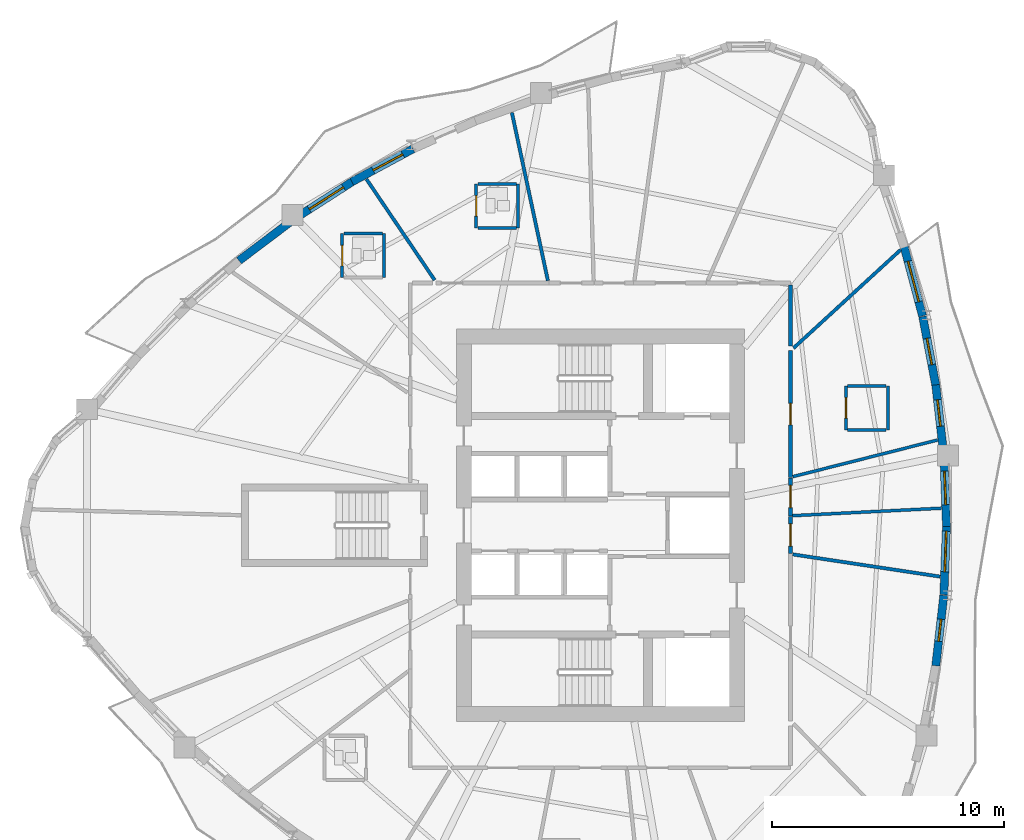
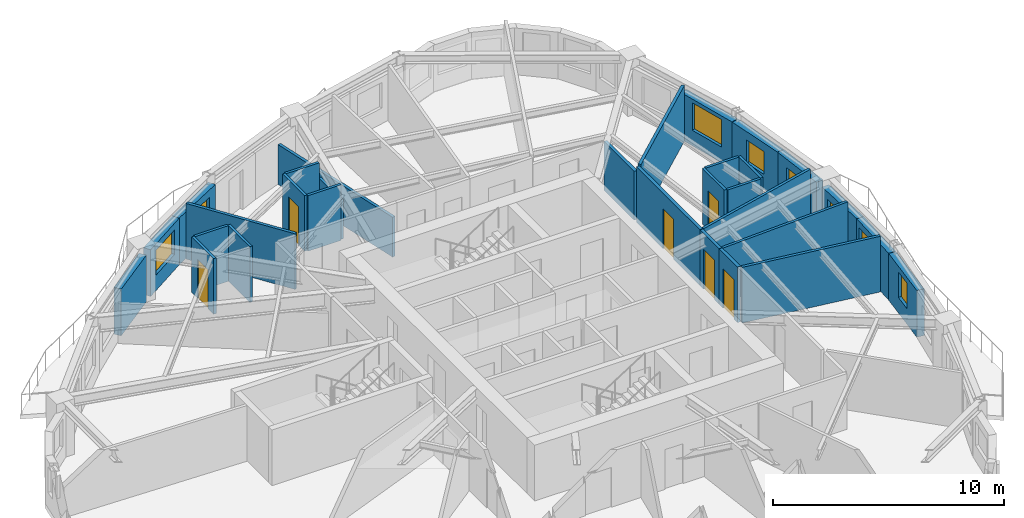
# One storey, part 7 of 12: 30 walls, 8 windows, 6 doors, 14 openings.
"""IFC4 building model written with IfcOpenShell, lengths in metres."""

from ifc_helpers import new_model, si_unit, direction, frame, frame_2d, origin, place, context, subcontext, project, spatial, rectangle, extrude, source, transform, mapped, material, layer, layer_set, type_object, element, fill, save


model = new_model("IFC4")

# Units and contexts
model_context = context("Model", 3, precision=1e-05, world=origin(), true_north=direction((0.0, 1.0)))
body_context = subcontext(model_context, "Body", "Model", "MODEL_VIEW")
ifc_project = project(units=[si_unit("LENGTHUNIT", "METRE"), si_unit("AREAUNIT", "SQUARE_METRE"), si_unit("VOLUMEUNIT", "CUBIC_METRE"), si_unit("PLANEANGLEUNIT", "RADIAN"), si_unit("MASSUNIT", "GRAM", prefix="KILO")], contexts=[model_context])

# Site, building, storey
site_placement = place(None, origin())
site = spatial("IfcSite", under=ifc_project, at=site_placement, CompositionType="ELEMENT")
building_placement = place(site_placement, origin())
building = spatial("IfcBuilding", under=site, at=building_placement, Name="Qafzar Sky-Pleat Residences", CompositionType="ELEMENT")
storey_placement = place(building_placement, frame((0.0, 0.0, 76.800048828125)))
storey = spatial("IfcBuildingStorey", under=building, at=storey_placement, Name="L22", CompositionType="ELEMENT", Elevation=76.800048828125)

# Wall, opening, door
ifc_material_1 = material(Name="Acoustic gypsum plasterboard partition", Category="gypsum")
ifc_layer_1 = layer(ifc_material_1, 0.159912109375)
ifc_layer_set_1 = layer_set([ifc_layer_1], Name="Acoustic gypsum plasterboard partition")
wall_type_1 = type_object("IfcWallType", Name="PART-COR-160", PredefinedType="PARTITIONING", material=ifc_layer_set_1)
wall_1_placement = place(storey_placement, frame((38.530029296875, 33.52587890625, 0.0), z_axis=(0.0, 0.0, 1.0), x_axis=(0.0, -1.0, 0.0)))
wall_1 = element("IfcWall", 1, at=wall_1_placement, inside=storey, type_object=wall_type_1, Name="L22 Partition Wall PART-L22-PW-002", PredefinedType="PARTITIONING", context=body_context, shape_type="SweptSolid", body=[
    extrude(rectangle(XDim=5.471923828125, YDim=0.159912109375, at=frame_2d((2.73583984375, 0.0))), origin(), (0.0, 0.0, 1.0), 2.93505859375),
])
opening_1_placement = place(wall_1_placement, frame((2.278076171875, 0.0, 0.0)))
opening_1 = element("IfcOpeningElement", 2, at=opening_1_placement, cuts=wall_1, Name="Opening ID-04", PredefinedType="OPENING", context=body_context, shape_type="SweptSolid", body=[
    extrude(rectangle(XDim=0.919921875, YDim=2.10009765625, at=frame_2d((0.4599609375, 1.050048828125))), frame((0.0, 0.08984375, 0.0), z_axis=(0.0, -1.0, 0.0), x_axis=(1.0, 0.0, 0.0)), (0.0, 0.0, 1.0), 0.179931640625),
])
ifc_material_2 = material(Name="Timber-faced fire door", Category="wood")
door_type_1 = type_object("IfcDoorType", Name="DR-BED-920", OperationType="NOTDEFINED", PredefinedType="DOOR", material=ifc_material_2)
shared_shape_1 = source(origin(), body_context, "Body", "SweptSolid", [
    extrude(rectangle(XDim=0.919921875, YDim=2.10009765625, at=frame_2d((0.4599609375, 1.050048828125))), frame((0.0, 0.02490234375, 0.0), z_axis=(0.0, -1.0, 0.0), x_axis=(1.0, 0.0, 0.0)), (0.0, 0.0, 1.0), 0.050048828125),
])
door_1_placement = place(opening_1_placement, origin())
door_1 = element("IfcDoor", 3, at=door_1_placement, inside=storey, type_object=door_type_1, Name="L22 Co-Living Bedroom 8 Door", OperationType="SINGLE_SWING_LEFT", OverallHeight=2.10009765625, OverallWidth=0.919921875, PredefinedType="DOOR", context=body_context, shape_type="MappedRepresentation", body=[
    mapped(shared_shape_1, transform((0.0, 0.0, 0.0), x_axis=(1.0, 0.0, 0.0), y_axis=(0.0, 1.0, 0.0), z_axis=(0.0, 0.0, 1.0), scale=1.0)),
])
fill(opening_1, door_1)

wall_2_placement = place(storey_placement, frame((38.530029296875, 28.0390625, 0.0), z_axis=(0.0, 0.0, 1.0), x_axis=(0.0, -1.0, 0.0)))
wall_2 = element("IfcWall", 4, at=wall_2_placement, inside=storey, type_object=wall_type_1, Name="L22 Partition Wall PART-L22-PW-022", PredefinedType="PARTITIONING", context=body_context, shape_type="SweptSolid", body=[
    extrude(rectangle(XDim=1.64306640625, YDim=0.159912109375, at=frame_2d((0.821533203125, 0.0))), origin(), (0.0, 0.0, 1.0), 2.93505859375),
])
opening_2_placement = place(wall_2_placement, frame((0.323486328125, 0.0, 0.0)))
opening_2 = element("IfcOpeningElement", 5, at=opening_2_placement, cuts=wall_2, Name="Opening ID-08", PredefinedType="OPENING", context=body_context, shape_type="SweptSolid", body=[
    extrude(rectangle(XDim=0.949951171875, YDim=2.10009765625, at=frame_2d((0.47509765625, 1.050048828125))), frame((0.0, 0.08984375, 0.0), z_axis=(0.0, -1.0, 0.0), x_axis=(1.0, 0.0, 0.0)), (0.0, 0.0, 1.0), 0.179931640625),
])
door_type_2 = type_object("IfcDoorType", Name="DR-AWC-950", OperationType="NOTDEFINED", PredefinedType="DOOR", material=ifc_material_2)
shared_shape_2 = source(origin(), body_context, "Body", "SweptSolid", [
    extrude(rectangle(XDim=0.949951171875, YDim=2.10009765625, at=frame_2d((0.47509765625, 1.050048828125))), frame((0.0, 0.02490234375, 0.0), z_axis=(0.0, -1.0, 0.0), x_axis=(1.0, 0.0, 0.0)), (0.0, 0.0, 1.0), 0.050048828125),
])
door_2_placement = place(opening_2_placement, origin())
door_2 = element("IfcDoor", 6, at=door_2_placement, inside=storey, type_object=door_type_2, Name="L22 Accessible Shared Washroom Door", OperationType="SINGLE_SWING_RIGHT", OverallHeight=2.10009765625, OverallWidth=0.949951171875, PredefinedType="DOOR", context=body_context, shape_type="MappedRepresentation", body=[
    mapped(shared_shape_2, transform((0.0, 0.0, 0.0), x_axis=(1.0, 0.0, 0.0), y_axis=(0.0, 1.0, 0.0), z_axis=(0.0, 0.0, 1.0), scale=1.0)),
])
fill(opening_2, door_2)

wall_3_placement = place(storey_placement, frame((38.530029296875, 26.381103515625, 0.0), z_axis=(0.0, 0.0, 1.0), x_axis=(0.0, -1.0, 0.0)))
wall_3 = element("IfcWall", 7, at=wall_3_placement, inside=storey, type_object=wall_type_1, Name="L22 Partition Wall PART-L22-PW-023", PredefinedType="PARTITIONING", context=body_context, shape_type="SweptSolid", body=[
    extrude(rectangle(XDim=1.585205078125, YDim=0.159912109375, at=frame_2d((0.79248046875, 0.0))), origin(), (0.0, 0.0, 1.0), 2.93505859375),
])
opening_3_placement = place(wall_3_placement, frame((0.31298828125, 0.0, 0.0)))
opening_3 = element("IfcOpeningElement", 8, at=opening_3_placement, cuts=wall_3, Name="Opening ID-06", PredefinedType="OPENING", context=body_context, shape_type="SweptSolid", body=[
    extrude(rectangle(XDim=0.9599609375, YDim=2.10009765625, at=frame_2d((0.47998046875, 1.050048828125))), frame((0.0, 0.08984375, 0.0), z_axis=(0.0, -1.0, 0.0), x_axis=(1.0, 0.0, 0.0)), (0.0, 0.0, 1.0), 0.179931640625),
])
door_type_3 = type_object("IfcDoorType", Name="DR-STD-960", OperationType="NOTDEFINED", PredefinedType="DOOR", material=ifc_material_2)
shared_shape_3 = source(origin(), body_context, "Body", "SweptSolid", [
    extrude(rectangle(XDim=0.9599609375, YDim=2.10009765625, at=frame_2d((0.47998046875, 1.050048828125))), frame((0.0, 0.02490234375, 0.0), z_axis=(0.0, -1.0, 0.0), x_axis=(1.0, 0.0, 0.0)), (0.0, 0.0, 1.0), 0.050048828125),
])
door_3_placement = place(opening_3_placement, origin())
door_3 = element("IfcDoor", 9, at=door_3_placement, inside=storey, type_object=door_type_3, Name="L22 Scholar Study Room Door", OperationType="SINGLE_SWING_LEFT", OverallHeight=2.10009765625, OverallWidth=0.9599609375, PredefinedType="DOOR", context=body_context, shape_type="MappedRepresentation", body=[
    mapped(shared_shape_3, transform((0.0, 0.0, 0.0), x_axis=(1.0, 0.0, 0.0), y_axis=(0.0, 1.0, 0.0), z_axis=(0.0, 0.0, 1.0), scale=1.0)),
])
fill(opening_3, door_3)

# Walls
wall_4_placement = place(storey_placement, frame((38.530029296875, 33.720703125, 0.0), z_axis=(0.0, 0.0, 1.0), x_axis=(0.0, 1.0, 0.0)))
element("IfcWall", 10, at=wall_4_placement, inside=storey, type_object=wall_type_1, Name="L22 Partition Wall PART-L22-PW-044", PredefinedType="PARTITIONING", context=body_context, shape_type="SweptSolid", body=[
    extrude(rectangle(XDim=2.621337890625, YDim=0.159912109375, at=frame_2d((1.310546875, 0.0))), origin(), (0.0, 0.0, 1.0), 2.572998046875),
])
ifc_layer_2 = layer(ifc_material_1, 0.14501953125)
ifc_layer_set_2 = layer_set([ifc_layer_2], Name="Acoustic gypsum plasterboard partition")
wall_type_2 = type_object("IfcWallType", Name="PART-UNIT-145", PredefinedType="PARTITIONING", material=ifc_layer_set_2)
wall_5_placement = place(storey_placement, frame((26.541015625, 43.765625, 0.0), z_axis=(0.0, 0.0, 1.0), x_axis=(0.209522326513, -0.9778038631, 0.0)))
element("IfcWall", 11, at=wall_5_placement, inside=storey, type_object=wall_type_2, Name="L22 Partition Wall PART-L22-PW-034", PredefinedType="PARTITIONING", context=body_context, shape_type="SweptSolid", body=[
    extrude(rectangle(XDim=7.396728515625, YDim=0.14501953125, at=frame_2d((3.6982421875, 0.0))), origin(), (0.0, 0.0, 1.0), 2.10302734375),
])
wall_6_placement = place(storey_placement, frame((38.628662109375, 24.75, 0.0), z_axis=(0.0, 0.0, 1.0), x_axis=(0.988806184902, -0.149205659073, 0.0)))
element("IfcWall", 12, at=wall_6_placement, inside=storey, type_object=wall_type_2, Name="L22 Partition Wall PART-L22-PW-036", PredefinedType="PARTITIONING", context=body_context, shape_type="SweptSolid", body=[
    extrude(rectangle(XDim=6.415771484375, YDim=0.14501953125, at=frame_2d((3.2080078125, 0.0))), origin(), (0.0, 0.0, 1.0), 2.93505859375),
])
wall_7_placement = place(storey_placement, frame((38.664794921875, 33.6298828125, 0.0), z_axis=(0.0, 0.0, 1.0), x_axis=(0.736824900837, 0.676083623161, 0.0)))
element("IfcWall", 13, at=wall_7_placement, inside=storey, type_object=wall_type_2, Name="L22 Partition Wall PART-L22-PW-038", PredefinedType="PARTITIONING", context=body_context, shape_type="SweptSolid", body=[
    extrude(rectangle(XDim=6.25, YDim=0.14501953125, at=frame_2d((3.125, 0.0))), origin(), (0.0, 0.0, 1.0), 2.93505859375),
])
wall_8_placement = place(storey_placement, frame((20.277099609375, 40.90625, 0.0), z_axis=(0.0, 0.0, 1.0), x_axis=(0.559905741259, -0.828556311246, 0.0)))
element("IfcWall", 14, at=wall_8_placement, inside=storey, type_object=wall_type_2, Name="L22 Partition Wall PART-L22-PW-041", PredefinedType="PARTITIONING", context=body_context, shape_type="SweptSolid", body=[
    extrude(rectangle(XDim=5.2490234375, YDim=0.14501953125, at=frame_2d((2.62451171875, 0.0))), origin(), (0.0, 0.0, 1.0), 2.93505859375),
])

# Wall, opening, door
ifc_material_3 = material(Name="Moisture-resistant gypsum partition", Category="gypsum")
ifc_layer_3 = layer(ifc_material_3, 0.1298828125)
ifc_layer_set_3 = layer_set([ifc_layer_3], Name="Moisture-resistant gypsum partition")
wall_type_3 = type_object("IfcWallType", Name="PART-WET-130", PredefinedType="PARTITIONING", material=ifc_layer_set_3)
wall_9_placement = place(storey_placement, frame((25.0048828125, 40.700927734375, 0.0), z_axis=(0.0, 0.0, 1.0), x_axis=(0.0, -1.0, 0.0)))
wall_9 = element("IfcWall", 15, at=wall_9_placement, inside=storey, type_object=wall_type_3, Name="L22 Partition Wall PART-L22-PW-018", PredefinedType="PARTITIONING", context=body_context, shape_type="SweptSolid", body=[
    extrude(rectangle(XDim=1.89990234375, YDim=0.1298828125, at=frame_2d((0.949951171875, 0.0))), origin(), (0.0, 0.0, 1.0), 2.93505859375),
])
opening_4_placement = place(wall_9_placement, frame((0.510009765625, 0.0, 0.0)))
opening_4 = element("IfcOpeningElement", 16, at=opening_4_placement, cuts=wall_9, Name="Opening ID-07", PredefinedType="OPENING", context=body_context, shape_type="SweptSolid", body=[
    extrude(rectangle(XDim=0.8798828125, YDim=2.050048828125, at=frame_2d((0.43994140625, 1.02490234375))), frame((0.0, 0.074951171875, 0.0), z_axis=(0.0, -1.0, 0.0), x_axis=(1.0, 0.0, 0.0)), (0.0, 0.0, 1.0), 0.14990234375),
])
door_type_4 = type_object("IfcDoorType", Name="DR-WET-880", OperationType="NOTDEFINED", PredefinedType="DOOR", material=ifc_material_2)
shared_shape_4 = source(origin(), body_context, "Body", "SweptSolid", [
    extrude(rectangle(XDim=0.8798828125, YDim=2.050048828125, at=frame_2d((0.43994140625, 1.02490234375))), frame((0.0, 0.02490234375, 0.0), z_axis=(0.0, -1.0, 0.0), x_axis=(1.0, 0.0, 0.0)), (0.0, 0.0, 1.0), 0.050048828125),
])
door_4_placement = place(opening_4_placement, origin())
door_4 = element("IfcDoor", 17, at=door_4_placement, inside=storey, type_object=door_type_4, Name="L22 En-suite Bathroom 3 Door", OperationType="SINGLE_SWING_RIGHT", OverallHeight=2.050048828125, OverallWidth=0.8798828125, PredefinedType="DOOR", context=body_context, shape_type="MappedRepresentation", body=[
    mapped(shared_shape_4, transform((0.0, 0.0, 0.0), x_axis=(1.0, 0.0, 0.0), y_axis=(0.0, 1.0, 0.0), z_axis=(0.0, 0.0, 1.0), scale=1.0)),
])
fill(opening_4, door_4)

wall_10_placement = place(storey_placement, frame((19.237060546875, 38.56103515625, 0.0), z_axis=(0.0, 0.0, 1.0), x_axis=(0.0, -1.0, 0.0)))
wall_10 = element("IfcWall", 18, at=wall_10_placement, inside=storey, type_object=wall_type_3, Name="L22 Partition Wall PART-L22-PW-019", PredefinedType="PARTITIONING", context=body_context, shape_type="SweptSolid", body=[
    extrude(rectangle(XDim=1.900146484375, YDim=0.1298828125, at=frame_2d((0.9501953125, 0.0))), origin(), (0.0, 0.0, 1.0), 2.93505859375),
])
opening_5_placement = place(wall_10_placement, frame((0.510009765625, 0.0, 0.0)))
opening_5 = element("IfcOpeningElement", 19, at=opening_5_placement, cuts=wall_10, Name="Opening ID-07", PredefinedType="OPENING", context=body_context, shape_type="SweptSolid", body=[
    extrude(rectangle(XDim=0.8798828125, YDim=2.050048828125, at=frame_2d((0.43994140625, 1.02490234375))), frame((0.0, 0.074951171875, 0.0), z_axis=(0.0, -1.0, 0.0), x_axis=(1.0, 0.0, 0.0)), (0.0, 0.0, 1.0), 0.14990234375),
])
door_5_placement = place(opening_5_placement, origin())
door_5 = element("IfcDoor", 20, at=door_5_placement, inside=storey, type_object=door_type_4, Name="L22 En-suite Bathroom 4 Door", OperationType="SINGLE_SWING_LEFT", OverallHeight=2.050048828125, OverallWidth=0.8798828125, PredefinedType="DOOR", context=body_context, shape_type="MappedRepresentation", body=[
    mapped(shared_shape_4, transform((0.0, 0.0, 0.0), x_axis=(1.0, 0.0, 0.0), y_axis=(0.0, 1.0, 0.0), z_axis=(0.0, 0.0, 1.0), scale=1.0)),
])
fill(opening_5, door_5)

wall_11_placement = place(storey_placement, frame((40.9189453125, 32.00390625, 0.0), z_axis=(0.0, 0.0, 1.0), x_axis=(0.0, -1.0, 0.0)))
wall_11 = element("IfcWall", 21, at=wall_11_placement, inside=storey, type_object=wall_type_3, Name="L22 Partition Wall PART-L22-PW-020", PredefinedType="PARTITIONING", context=body_context, shape_type="SweptSolid", body=[
    extrude(rectangle(XDim=1.89990234375, YDim=0.1298828125, at=frame_2d((0.949951171875, 0.0))), origin(), (0.0, 0.0, 1.0), 2.93505859375),
])
opening_6_placement = place(wall_11_placement, frame((0.510009765625, 0.0, 0.0)))
opening_6 = element("IfcOpeningElement", 22, at=opening_6_placement, cuts=wall_11, Name="Opening ID-07", PredefinedType="OPENING", context=body_context, shape_type="SweptSolid", body=[
    extrude(rectangle(XDim=0.8798828125, YDim=2.050048828125, at=frame_2d((0.43994140625, 1.02490234375))), frame((0.0, 0.074951171875, 0.0), z_axis=(0.0, -1.0, 0.0), x_axis=(1.0, 0.0, 0.0)), (0.0, 0.0, 1.0), 0.14990234375),
])
door_6_placement = place(opening_6_placement, origin())
door_6 = element("IfcDoor", 23, at=door_6_placement, inside=storey, type_object=door_type_4, Name="L22 En-suite Bathroom 8 Door", OperationType="SINGLE_SWING_RIGHT", OverallHeight=2.050048828125, OverallWidth=0.8798828125, PredefinedType="DOOR", context=body_context, shape_type="MappedRepresentation", body=[
    mapped(shared_shape_4, transform((0.0, 0.0, 0.0), x_axis=(1.0, 0.0, 0.0), y_axis=(0.0, 1.0, 0.0), z_axis=(0.0, 0.0, 1.0), scale=1.0)),
])
fill(opening_6, door_6)

# Walls
wall_12_placement = place(storey_placement, frame((38.6337890625, 28.09619140625, 0.0), z_axis=(0.0, 0.0, 1.0), x_axis=(0.969457090906, 0.245260981186, 0.0)))
element("IfcWall", 24, at=wall_12_placement, inside=storey, type_object=wall_type_3, Name="L22 Partition Wall PART-L22-PW-035", PredefinedType="PARTITIONING", context=body_context, shape_type="SweptSolid", body=[
    extrude(rectangle(XDim=6.426513671875, YDim=0.1298828125, at=frame_2d((3.21337890625, 0.0))), origin(), (0.0, 0.0, 1.0), 2.93505859375),
])
wall_13_placement = place(storey_placement, frame((38.62109375, 26.41552734375, 0.0), z_axis=(0.0, 0.0, 1.0), x_axis=(0.998746074583, 0.050062745689, 0.0)))
element("IfcWall", 25, at=wall_13_placement, inside=storey, type_object=wall_type_3, Name="L22 Partition Wall PART-L22-PW-037", PredefinedType="PARTITIONING", context=body_context, shape_type="SweptSolid", body=[
    extrude(rectangle(XDim=6.422607421875, YDim=0.1298828125, at=frame_2d((3.21142578125, 0.0))), origin(), (0.0, 0.0, 1.0), 2.93505859375),
])
wall_14_placement = place(storey_placement, frame((26.804931640625, 38.801025390625, 0.0), z_axis=(0.0, 0.0, 1.0), x_axis=(0.0, 1.0, 0.0)))
element("IfcWall", 26, at=wall_14_placement, inside=storey, type_object=wall_type_3, Name="L22 Partition Wall PART-L22-PW-048", PredefinedType="PARTITIONING", context=body_context, shape_type="SweptSolid", body=[
    extrude(rectangle(XDim=1.89990234375, YDim=0.1298828125, at=frame_2d((0.949951171875, 0.0))), origin(), (0.0, 0.0, 1.0), 2.10302734375),
])
wall_15_placement = place(storey_placement, frame((21.037109375, 36.660888671875, 0.0), z_axis=(0.0, 0.0, 1.0), x_axis=(0.0, 1.0, 0.0)))
element("IfcWall", 27, at=wall_15_placement, inside=storey, type_object=wall_type_3, Name="L22 Partition Wall PART-L22-PW-049", PredefinedType="PARTITIONING", context=body_context, shape_type="SweptSolid", body=[
    extrude(rectangle(XDim=1.900146484375, YDim=0.1298828125, at=frame_2d((0.9501953125, 0.0))), origin(), (0.0, 0.0, 1.0), 2.93505859375),
])
wall_16_placement = place(storey_placement, frame((42.718994140625, 30.10400390625, 0.0), z_axis=(0.0, 0.0, 1.0), x_axis=(0.0, 1.0, 0.0)))
element("IfcWall", 28, at=wall_16_placement, inside=storey, type_object=wall_type_3, Name="L22 Partition Wall PART-L22-PW-050", PredefinedType="PARTITIONING", context=body_context, shape_type="SweptSolid", body=[
    extrude(rectangle(XDim=1.89990234375, YDim=0.1298828125, at=frame_2d((0.949951171875, 0.0))), origin(), (0.0, 0.0, 1.0), 2.93505859375),
])
for number, where, z_axis, x_axis, name in (
    (29, (40.991943359375, 32.00390625, 0.0), (0.0, 0.0, 1.0), (1.0, 0.0, 0.0), "L22 Partition Wall PART-L22-PW-052"),
    (30, (40.991943359375, 30.10400390625, 0.0), (0.0, 0.0, 1.0), (1.0, 0.0, 0.0), "L22 Partition Wall PART-L22-PW-053"),
    (31, (25.077880859375, 40.700927734375, 0.0), (0.0, 0.0, 1.0), (1.0, 0.0, 0.0), "L22 Partition Wall PART-L22-PW-054"),
    (32, (25.077880859375, 38.801025390625, 0.0), (0.0, 0.0, 1.0), (1.0, 0.0, 0.0), "L22 Partition Wall PART-L22-PW-055"),
    (33, (19.31005859375, 38.56103515625, 0.0), (0.0, 0.0, 1.0), (1.0, 0.0, 0.0), "L22 Partition Wall PART-L22-PW-056"),
):
    element("IfcWall", number, at=place(storey_placement, frame(where, z_axis=z_axis, x_axis=x_axis)), inside=storey, type_object=wall_type_3, Name=name, PredefinedType="PARTITIONING", context=body_context, shape_type="SweptSolid", body=[
        extrude(rectangle(XDim=1.654052734375, YDim=0.1298828125, at=frame_2d((0.8271484375, 0.0))), origin(), (0.0, 0.0, 1.0), 2.93505859375),
    ])

# Wall, opening, window
ifc_material_4 = material(Name="Precast concrete C40/50 with honed Riyadh limestone", Category="concrete")
ifc_layer_4 = layer(ifc_material_4, 0.35009765625)
ifc_layer_set_4 = layer_set([ifc_layer_4], Name="Precast concrete C40/50 with honed Riyadh limestone")
wall_type_4 = type_object("IfcWallType", Name="WALL-EXT-350", PredefinedType="SOLIDWALL", material=ifc_layer_set_4)
wall_17_placement = place(storey_placement, frame((44.78662109375, 19.955322265625, 0.0), z_axis=(0.0, 0.0, 1.0), x_axis=(0.113232876367, 0.993568475602, 0.0)))
wall_17 = element("IfcWall", 34, at=wall_17_placement, inside=storey, type_object=wall_type_4, Name="L22 Limestone Facade Wall 26", PredefinedType="SOLIDWALL", context=body_context, shape_type="SweptSolid", body=[
    extrude(rectangle(XDim=3.05078125, YDim=0.35009765625, at=frame_2d((1.525390625, 0.0))), origin(), (0.0, 0.0, 1.0), 2.46484375),
])
opening_7_placement = place(wall_17_placement, frame((1.060302734375, 0.0, 0.820068359375)))
opening_7 = element("IfcOpeningElement", 35, at=opening_7_placement, cuts=wall_17, Name="Opening WN-12", PredefinedType="OPENING", context=body_context, shape_type="SweptSolid", body=[
    extrude(rectangle(XDim=0.949951171875, YDim=1.35009765625, at=frame_2d((0.47509765625, 0.675048828125))), frame((0.0, 0.18505859375, 0.0), z_axis=(0.0, -1.0, 0.0), x_axis=(1.0, 0.0, 0.0)), (0.0, 0.0, 1.0), 0.3701171875),
])
ifc_material_5 = material(Name="Solar-control low-E glass in bronze aluminium frame", Category="glass")
window_type_1 = type_object("IfcWindowType", Name="WIN-12", PartitioningType="SINGLE_PANEL", PredefinedType="WINDOW", material=ifc_material_5)
shared_shape_5 = source(origin(), body_context, "Body", "SweptSolid", [
    extrude(rectangle(XDim=0.949951171875, YDim=1.35009765625, at=frame_2d((0.47509765625, 0.675048828125))), frame((0.0, 0.030029296875, 0.0), z_axis=(0.0, -1.0, 0.0), x_axis=(1.0, 0.0, 0.0)), (0.0, 0.0, 1.0), 0.06005859375),
])
window_1_placement = place(opening_7_placement, origin())
window_1 = element("IfcWindow", 36, at=window_1_placement, inside=storey, type_object=window_type_1, Name="L22 Punched Facade Window 26", OverallHeight=1.35009765625, OverallWidth=0.949951171875, PartitioningType="SINGLE_PANEL", PredefinedType="WINDOW", context=body_context, shape_type="MappedRepresentation", body=[
    mapped(shared_shape_5, transform((0.0, 0.0, 0.0), x_axis=(1.0, 0.0, 0.0), y_axis=(0.0, 1.0, 0.0), z_axis=(0.0, 0.0, 1.0), scale=1.0)),
])
fill(opening_7, window_1)

wall_18_placement = place(storey_placement, frame((45.134033203125, 23.01318359375, 0.0), z_axis=(0.0, 0.0, 1.0), x_axis=(0.037984969205, 0.999278310639, 0.0)))
wall_18 = element("IfcWall", 37, at=wall_18_placement, inside=storey, type_object=wall_type_4, Name="L22 Limestone Facade Wall 27", PredefinedType="SOLIDWALL", context=body_context, shape_type="SweptSolid", body=[
    extrude(rectangle(XDim=3.03369140625, YDim=0.35009765625, at=frame_2d((1.516845703125, 0.0))), origin(), (0.0, 0.0, 1.0), 2.46484375),
])
opening_8_placement = place(wall_18_placement, frame((0.98681640625, 0.0, 0.820068359375)))
opening_8 = element("IfcOpeningElement", 38, at=opening_8_placement, cuts=wall_18, Name="Opening WN-14", PredefinedType="OPENING", context=body_context, shape_type="SweptSolid", body=[
    extrude(rectangle(XDim=1.75, YDim=1.300048828125, at=frame_2d((0.875, 0.64990234375))), frame((0.0, 0.18505859375, 0.0), z_axis=(0.0, -1.0, 0.0), x_axis=(1.0, 0.0, 0.0)), (0.0, 0.0, 1.0), 0.3701171875),
])
window_type_2 = type_object("IfcWindowType", Name="WIN-14", PartitioningType="DOUBLE_PANEL_VERTICAL", PredefinedType="WINDOW", material=ifc_material_5)
shared_shape_6 = source(origin(), body_context, "Body", "SweptSolid", [
    extrude(rectangle(XDim=1.75, YDim=1.300048828125, at=frame_2d((0.875, 0.64990234375))), frame((0.0, 0.030029296875, 0.0), z_axis=(0.0, -1.0, 0.0), x_axis=(1.0, 0.0, 0.0)), (0.0, 0.0, 1.0), 0.06005859375),
])
window_2_placement = place(opening_8_placement, origin())
window_2 = element("IfcWindow", 39, at=window_2_placement, inside=storey, type_object=window_type_2, Name="L22 Punched Facade Window 27-2", OverallHeight=1.300048828125, OverallWidth=1.75, PartitioningType="SINGLE_PANEL", PredefinedType="WINDOW", context=body_context, shape_type="MappedRepresentation", body=[
    mapped(shared_shape_6, transform((0.0, 0.0, 0.0), x_axis=(1.0, 0.0, 0.0), y_axis=(0.0, 1.0, 0.0), z_axis=(0.0, 0.0, 1.0), scale=1.0)),
])
fill(opening_8, window_2)

wall_19_placement = place(storey_placement, frame((45.249267578125, 25.955322265625, 0.0), z_axis=(0.0, 0.0, 1.0), x_axis=(-0.0379756963, 0.999278663082, 0.0)))
wall_19 = element("IfcWall", 40, at=wall_19_placement, inside=storey, type_object=wall_type_4, Name="L22 Limestone Facade Wall 28", PredefinedType="SOLIDWALL", context=body_context, shape_type="SweptSolid", body=[
    extrude(rectangle(XDim=2.82861328125, YDim=0.35009765625, at=frame_2d((1.414306640625, 0.0))), origin(), (0.0, 0.0, 1.0), 2.46484375),
])
opening_9_placement = place(wall_19_placement, frame((0.92919921875, 0.0, 0.820068359375)))
opening_9 = element("IfcOpeningElement", 41, at=opening_9_placement, cuts=wall_19, Name="Opening WN-15", PredefinedType="OPENING", context=body_context, shape_type="SweptSolid", body=[
    extrude(rectangle(XDim=1.449951171875, YDim=1.25, at=frame_2d((0.72509765625, 0.625))), frame((0.0, 0.18505859375, 0.0), z_axis=(0.0, -1.0, 0.0), x_axis=(1.0, 0.0, 0.0)), (0.0, 0.0, 1.0), 0.3701171875),
])
window_type_3 = type_object("IfcWindowType", Name="WIN-15", PartitioningType="SINGLE_PANEL", PredefinedType="WINDOW", material=ifc_material_5)
shared_shape_7 = source(origin(), body_context, "Body", "SweptSolid", [
    extrude(rectangle(XDim=1.449951171875, YDim=1.25, at=frame_2d((0.72509765625, 0.625))), frame((0.0, 0.030029296875, 0.0), z_axis=(0.0, -1.0, 0.0), x_axis=(1.0, 0.0, 0.0)), (0.0, 0.0, 1.0), 0.06005859375),
])
window_3_placement = place(opening_9_placement, origin())
window_3 = element("IfcWindow", 42, at=window_3_placement, inside=storey, type_object=window_type_3, Name="L22 Punched Facade Window 28-2", OverallHeight=1.25, OverallWidth=1.449951171875, PartitioningType="SINGLE_PANEL", PredefinedType="WINDOW", context=body_context, shape_type="MappedRepresentation", body=[
    mapped(shared_shape_7, transform((0.0, 0.0, 0.0), x_axis=(1.0, 0.0, 0.0), y_axis=(0.0, 1.0, 0.0), z_axis=(0.0, 0.0, 1.0), scale=1.0)),
])
fill(opening_9, window_3)

wall_20_placement = place(storey_placement, frame((45.10888671875, 29.217041015625, 0.0), z_axis=(0.0, 0.0, 1.0), x_axis=(-0.11323690057, 0.993568016972, 0.0)))
wall_20 = element("IfcWall", 43, at=wall_20_placement, inside=storey, type_object=wall_type_4, Name="L22 Limestone Facade Wall 29", PredefinedType="SOLIDWALL", context=body_context, shape_type="SweptSolid", body=[
    extrude(rectangle(XDim=2.845947265625, YDim=0.35009765625, at=frame_2d((1.4228515625, 0.0))), origin(), (0.0, 0.0, 1.0), 2.46484375),
])
opening_10_placement = place(wall_20_placement, frame((1.0498046875, 0.0, 0.820068359375)))
opening_10 = element("IfcOpeningElement", 44, at=opening_10_placement, cuts=wall_20, Name="Opening WN-16", PredefinedType="OPENING", context=body_context, shape_type="SweptSolid", body=[
    extrude(rectangle(XDim=1.14990234375, YDim=1.199951171875, at=frame_2d((0.574951171875, 0.60009765625))), frame((0.0, 0.18505859375, 0.0), z_axis=(0.0, -1.0, 0.0), x_axis=(1.0, 0.0, 0.0)), (0.0, 0.0, 1.0), 0.3701171875),
])
window_type_4 = type_object("IfcWindowType", Name="WIN-16", PartitioningType="SINGLE_PANEL", PredefinedType="WINDOW", material=ifc_material_5)
shared_shape_8 = source(origin(), body_context, "Body", "SweptSolid", [
    extrude(rectangle(XDim=1.14990234375, YDim=1.199951171875, at=frame_2d((0.574951171875, 0.60009765625))), frame((0.0, 0.030029296875, 0.0), z_axis=(0.0, -1.0, 0.0), x_axis=(1.0, 0.0, 0.0)), (0.0, 0.0, 1.0), 0.06005859375),
])
window_4_placement = place(opening_10_placement, origin())
window_4 = element("IfcWindow", 45, at=window_4_placement, inside=storey, type_object=window_type_4, Name="L22 Punched Facade Window 29-2", OverallHeight=1.199951171875, OverallWidth=1.14990234375, PartitioningType="SINGLE_PANEL", PredefinedType="WINDOW", context=body_context, shape_type="MappedRepresentation", body=[
    mapped(shared_shape_8, transform((0.0, 0.0, 0.0), x_axis=(1.0, 0.0, 0.0), y_axis=(0.0, 1.0, 0.0), z_axis=(0.0, 0.0, 1.0), scale=1.0)),
])
fill(opening_10, window_4)

wall_21_placement = place(storey_placement, frame((44.7998046875, 31.956787109375, 0.0), z_axis=(0.0, 0.0, 1.0), x_axis=(-0.186672102023, 0.982422274954, 0.0)))
wall_21 = element("IfcWall", 46, at=wall_21_placement, inside=storey, type_object=wall_type_4, Name="L22 Limestone Facade Wall 30", PredefinedType="SOLIDWALL", context=body_context, shape_type="SweptSolid", body=[
    extrude(rectangle(XDim=3.085205078125, YDim=0.35009765625, at=frame_2d((1.54248046875, 0.0))), origin(), (0.0, 0.0, 1.0), 2.46484375),
])
opening_11_placement = place(wall_21_placement, frame((0.977783203125, 0.0, 0.820068359375)))
opening_11 = element("IfcOpeningElement", 47, at=opening_11_placement, cuts=wall_21, Name="Opening WN-16", PredefinedType="OPENING", context=body_context, shape_type="SweptSolid", body=[
    extrude(rectangle(XDim=1.14990234375, YDim=1.199951171875, at=frame_2d((0.574951171875, 0.60009765625))), frame((0.0, 0.18505859375, 0.0), z_axis=(0.0, -1.0, 0.0), x_axis=(1.0, 0.0, 0.0)), (0.0, 0.0, 1.0), 0.3701171875),
])
window_5_placement = place(opening_11_placement, origin())
window_5 = element("IfcWindow", 48, at=window_5_placement, inside=storey, type_object=window_type_4, Name="L22 Punched Facade Window 30", OverallHeight=1.199951171875, OverallWidth=1.14990234375, PartitioningType="SINGLE_PANEL", PredefinedType="WINDOW", context=body_context, shape_type="MappedRepresentation", body=[
    mapped(shared_shape_8, transform((0.0, 0.0, 0.0), x_axis=(1.0, 0.0, 0.0), y_axis=(0.0, 1.0, 0.0), z_axis=(0.0, 0.0, 1.0), scale=1.0)),
])
fill(opening_11, window_5)

wall_22_placement = place(storey_placement, frame((44.2177734375, 35.014404296875, 0.0), z_axis=(0.0, 0.0, 1.0), x_axis=(-0.25705209467, 0.96639754792, 0.0)))
wall_22 = element("IfcWall", 49, at=wall_22_placement, inside=storey, type_object=wall_type_4, Name="L22 Limestone Facade Wall 31", PredefinedType="SOLIDWALL", context=body_context, shape_type="SweptSolid", body=[
    extrude(rectangle(XDim=3.13623046875, YDim=0.35009765625, at=frame_2d((1.568115234375, 0.0))), origin(), (0.0, 0.0, 1.0), 2.46484375),
])
opening_12_placement = place(wall_22_placement, frame((0.6298828125, 0.0, 0.820068359375)))
opening_12 = element("IfcOpeningElement", 50, at=opening_12_placement, cuts=wall_22, Name="Opening WN-01", PredefinedType="OPENING", context=body_context, shape_type="SweptSolid", body=[
    extrude(rectangle(XDim=1.800048828125, YDim=1.449951171875, at=frame_2d((0.89990234375, 0.72509765625))), frame((0.0, 0.18505859375, 0.0), z_axis=(0.0, -1.0, 0.0), x_axis=(1.0, 0.0, 0.0)), (0.0, 0.0, 1.0), 0.3701171875),
])
window_type_5 = type_object("IfcWindowType", Name="WIN-01", PartitioningType="DOUBLE_PANEL_VERTICAL", PredefinedType="WINDOW", material=ifc_material_5)
shared_shape_9 = source(origin(), body_context, "Body", "SweptSolid", [
    extrude(rectangle(XDim=1.800048828125, YDim=1.449951171875, at=frame_2d((0.89990234375, 0.72509765625))), frame((0.0, 0.030029296875, 0.0), z_axis=(0.0, -1.0, 0.0), x_axis=(1.0, 0.0, 0.0)), (0.0, 0.0, 1.0), 0.06005859375),
])
window_6_placement = place(opening_12_placement, origin())
window_6 = element("IfcWindow", 51, at=window_6_placement, inside=storey, type_object=window_type_5, Name="L22 Punched Facade Window 31", OverallHeight=1.449951171875, OverallWidth=1.800048828125, PartitioningType="SINGLE_PANEL", PredefinedType="WINDOW", context=body_context, shape_type="MappedRepresentation", body=[
    mapped(shared_shape_9, transform((0.0, 0.0, 0.0), x_axis=(1.0, 0.0, 0.0), y_axis=(0.0, 1.0, 0.0), z_axis=(0.0, 0.0, 1.0), scale=1.0)),
])
fill(opening_12, window_6)

wall_23_placement = place(storey_placement, frame((22.282470703125, 42.2041015625, 0.0), z_axis=(0.0, 0.0, 1.0), x_axis=(-0.880100783756, -0.474786910553, 0.0)))
wall_23 = element("IfcWall", 52, at=wall_23_placement, inside=storey, type_object=wall_type_4, Name="L22 Limestone Facade Wall 43", PredefinedType="SOLIDWALL", context=body_context, shape_type="SweptSolid", body=[
    extrude(rectangle(XDim=2.987060546875, YDim=0.35009765625, at=frame_2d((1.49365234375, 0.0))), origin(), (0.0, 0.0, 1.0), 2.46484375),
])
opening_13_placement = place(wall_23_placement, frame((0.49658203125, 0.0, 0.820068359375)))
opening_13 = element("IfcOpeningElement", 53, at=opening_13_placement, cuts=wall_23, Name="Opening WN-15", PredefinedType="OPENING", context=body_context, shape_type="SweptSolid", body=[
    extrude(rectangle(XDim=1.449951171875, YDim=1.25, at=frame_2d((0.72509765625, 0.625))), frame((0.0, 0.18505859375, 0.0), z_axis=(0.0, -1.0, 0.0), x_axis=(1.0, 0.0, 0.0)), (0.0, 0.0, 1.0), 0.3701171875),
])
window_7_placement = place(opening_13_placement, origin())
window_7 = element("IfcWindow", 54, at=window_7_placement, inside=storey, type_object=window_type_3, Name="L22 Punched Facade Window 43", OverallHeight=1.25, OverallWidth=1.449951171875, PartitioningType="SINGLE_PANEL", PredefinedType="WINDOW", context=body_context, shape_type="MappedRepresentation", body=[
    mapped(shared_shape_7, transform((0.0, 0.0, 0.0), x_axis=(1.0, 0.0, 0.0), y_axis=(0.0, 1.0, 0.0), z_axis=(0.0, 0.0, 1.0), scale=1.0)),
])
fill(opening_13, window_7)

wall_24_placement = place(storey_placement, frame((19.73046875, 40.831298828125, 0.0), z_axis=(0.0, 0.0, 1.0), x_axis=(-0.841577423868, -0.540136500929, 0.0)))
wall_24 = element("IfcWall", 55, at=wall_24_placement, inside=storey, type_object=wall_type_4, Name="L22 Limestone Facade Wall 44", PredefinedType="SOLIDWALL", context=body_context, shape_type="SweptSolid", body=[
    extrude(rectangle(XDim=2.781982421875, YDim=0.35009765625, at=frame_2d((1.39111328125, 0.0))), origin(), (0.0, 0.0, 1.0), 2.46484375),
])
opening_14_placement = place(wall_24_placement, frame((0.52099609375, 0.0, 0.820068359375)))
opening_14 = element("IfcOpeningElement", 56, at=opening_14_placement, cuts=wall_24, Name="Opening WN-14", PredefinedType="OPENING", context=body_context, shape_type="SweptSolid", body=[
    extrude(rectangle(XDim=1.75, YDim=1.300048828125, at=frame_2d((0.875, 0.64990234375))), frame((0.0, 0.18505859375, 0.0), z_axis=(0.0, -1.0, 0.0), x_axis=(1.0, 0.0, 0.0)), (0.0, 0.0, 1.0), 0.3701171875),
])
window_8_placement = place(opening_14_placement, origin())
window_8 = element("IfcWindow", 57, at=window_8_placement, inside=storey, type_object=window_type_2, Name="L22 Punched Facade Window 44", OverallHeight=1.300048828125, OverallWidth=1.75, PartitioningType="SINGLE_PANEL", PredefinedType="WINDOW", context=body_context, shape_type="MappedRepresentation", body=[
    mapped(shared_shape_6, transform((0.0, 0.0, 0.0), x_axis=(1.0, 0.0, 0.0), y_axis=(0.0, 1.0, 0.0), z_axis=(0.0, 0.0, 1.0), scale=1.0)),
])
fill(opening_14, window_8)

# Wall
wall_25_placement = place(storey_placement, frame((17.031005859375, 39.0791015625, 0.0), z_axis=(0.0, 0.0, 1.0), x_axis=(-0.798385341516, -0.602146864521, 0.0)))
element("IfcWall", 58, at=wall_25_placement, inside=storey, type_object=wall_type_4, Name="L22 Limestone Facade Wall 45", PredefinedType="SOLIDWALL", context=body_context, shape_type="SweptSolid", body=[
    extrude(rectangle(XDim=2.79931640625, YDim=0.35009765625, at=frame_2d((1.399658203125, 0.0))), origin(), (0.0, 0.0, 1.0), 2.46484375),
])

save(model, "model.ifc")
